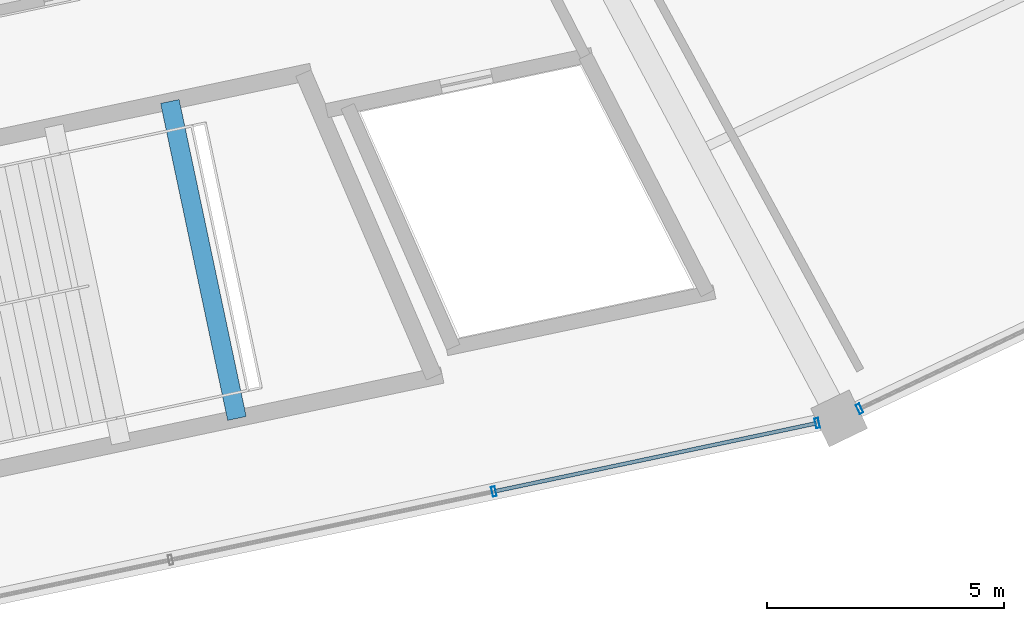
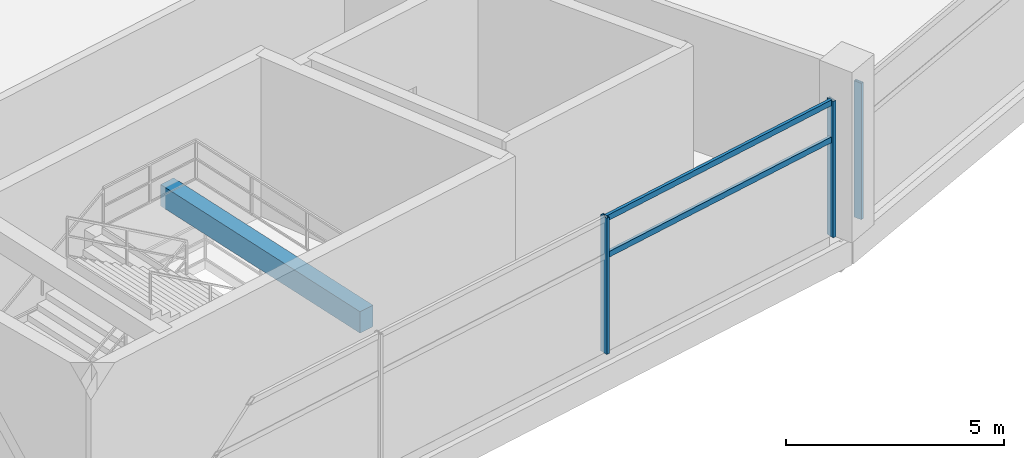
# One storey, part 51 of 171: 5 members, 1 beam, 2 elements without a shape of their own.
"""IFC4 building model written with IfcOpenShell, lengths in metres."""

from ifc_helpers import new_model, si_unit, direction, frame, origin, origin_2d, place, context, subcontext, project, spatial, rectangle, hollow_rectangle, extrude, material, layer, layer_set, material_profile, profile_set, type_object, element, aggregate, save


model = new_model("IFC4")

# Units and contexts
model_context = context("Model", 3, precision=1e-05, world=origin(), true_north=direction((0.0, 1.0)))
body_context = subcontext(model_context, "Body", "Model", "MODEL_VIEW")
ifc_project = project(units=[si_unit("LENGTHUNIT", "METRE"), si_unit("AREAUNIT", "SQUARE_METRE"), si_unit("VOLUMEUNIT", "CUBIC_METRE"), si_unit("PLANEANGLEUNIT", "RADIAN"), si_unit("MASSUNIT", "GRAM", prefix="KILO")], contexts=[model_context])

# Site, building, storey
site_placement = place(None, origin())
site = spatial("IfcSite", under=ifc_project, at=site_placement, CompositionType="ELEMENT")
building_placement = place(site_placement, origin())
building = spatial("IfcBuilding", under=site, at=building_placement, Name="Kazemori Nagisa Stadium", CompositionType="ELEMENT")
storey_placement = place(building_placement, frame((0.0, 0.0, 15.639892578125)))
storey = spatial("IfcBuildingStorey", under=building, at=storey_placement, Name="L03", CompositionType="ELEMENT", Elevation=15.639892578125)

# Beam
ifc_material_1 = material(Name="Concrete C40/50 (Fc42)", Category="concrete")
ifc_material_profile_1 = material_profile(ifc_material_1, rectangle(XDim=0.39990234375, YDim=0.60009765625, at=origin_2d()), Name="RC-BM-400x600")
ifc_profile_set_1 = profile_set([ifc_material_profile_1], Name="Concrete C40/50 (Fc42)")
beam_type = type_object("IfcBeamType", Name="Beam_BG-LND400X600", PredefinedType="BEAM", material=ifc_profile_set_1)
beam_placement = place(storey_placement, frame((151.69384765625, 28.218505859375, 1.880126953125), z_axis=(0.206997403527, -0.978341491982, 0.0), x_axis=(0.978341491982, 0.206997403527, 0.0)))
element("IfcBeam", 1, at=beam_placement, inside=storey, type_object=beam_type, Name="Core stair mid-landing girder ST06-L03-2", PredefinedType="BEAM", context=body_context, shape_type="SweptSolid", body=[
    extrude(rectangle(XDim=0.39990234375, YDim=0.60009765625, at=origin_2d()), origin(), (0.0, 0.0, 1.0), 6.831298828125),
])

# Curtain wall, members
ifc_material_2 = material(Name="Anodised aluminium 6063-T5", Category="aluminium")
ifc_layer = layer(ifc_material_2, 0.2099609375, Name="Anodised aluminium 6063-T5", Category="aluminium")
ifc_layer_set = layer_set([ifc_layer], Name="Anodised aluminium 6063-T5")
curtain_wall_type = type_object("IfcCurtainWallType", Name="CW_L03R3_105", PredefinedType="USERDEFINED", material=ifc_layer_set)
curtain_wall_1_placement = place(storey_placement, origin())
curtain_wall_1 = element("IfcCurtainWall", 2, at=curtain_wall_1_placement, inside=storey, type_object=curtain_wall_type, Name="Unitised curtain wall CW-L03R3-105 L03", ObjectType="UNITISED CURTAIN WALL", PredefinedType="USERDEFINED")
ifc_material_3 = material(Name="Aluminium 6063-T5 anodised", Category="aluminium")
ifc_material_profile_2 = material_profile(ifc_material_3, hollow_rectangle(XDim=0.080078125, YDim=0.2099609375, WallThickness=0.0048828125, at=origin_2d()), Name="ALU-MULL-80x210x5")
ifc_profile_set_2 = profile_set([ifc_material_profile_2], Name="Aluminium 6063-T5 anodised")
member_type_1 = type_object("IfcMemberType", Name="Mullion_M02", PredefinedType="MULLION", material=ifc_profile_set_2)
member_1_placement = place(storey_placement, frame((158.524169921875, 19.995361328125, 0.0), z_axis=(0.0, 0.0, 1.0), x_axis=(0.978344955407, 0.206981033502, 0.0)))
member_1 = element("IfcMember", 3, at=member_1_placement, type_object=member_type_1, Name="Curtain wall mullion CW-L03R3-105-M3", PredefinedType="MULLION", context=body_context, shape_type="SweptSolid", body=[
    extrude(hollow_rectangle(XDim=0.080078125, YDim=0.2099609375, WallThickness=0.0048828125, at=origin_2d()), origin(), (0.0, 0.0, 1.0), 3.81005859375),
])
member_2_placement = place(storey_placement, frame((165.340087890625, 21.4375, 0.0), z_axis=(0.0, 0.0, 1.0), x_axis=(0.978344955407, 0.206981033502, 0.0)))
member_2 = element("IfcMember", 4, at=member_2_placement, type_object=member_type_1, Name="Curtain wall mullion CW-L03R3-105-M4", PredefinedType="MULLION", context=body_context, shape_type="SweptSolid", body=[
    extrude(hollow_rectangle(XDim=0.080078125, YDim=0.2099609375, WallThickness=0.0048828125, at=origin_2d()), origin(), (0.0, 0.0, 1.0), 3.81005859375),
])

# Curtain wall, member
curtain_wall_2_placement = place(storey_placement, origin())
curtain_wall_2 = element("IfcCurtainWall", 5, at=curtain_wall_2_placement, inside=storey, type_object=curtain_wall_type, Name="Unitised curtain wall CW-L03R3-105 L03", ObjectType="UNITISED CURTAIN WALL", PredefinedType="USERDEFINED")
member_3_placement = place(storey_placement, frame((166.233642578125, 21.739501953125, 0.0), z_axis=(0.0, 0.0, 1.0), x_axis=(0.903215892654, 0.429186499388, 0.0)))
member_3 = element("IfcMember", 6, at=member_3_placement, type_object=member_type_1, Name="Curtain wall mullion CW-L03R3-105-M1", PredefinedType="MULLION", context=body_context, shape_type="SweptSolid", body=[
    extrude(hollow_rectangle(XDim=0.080078125, YDim=0.2099609375, WallThickness=0.0048828125, at=origin_2d()), origin(), (0.0, 0.0, 1.0), 3.81005859375),
])
aggregate(curtain_wall_2, [member_3])

# Member
ifc_material_profile_3 = material_profile(ifc_material_3, hollow_rectangle(XDim=0.080078125, YDim=0.159912109375, WallThickness=0.00390625, at=origin_2d()), Name="ALU-TRAN-80x160x4")
ifc_profile_set_3 = profile_set([ifc_material_profile_3], Name="Aluminium 6063-T5 anodised")
member_type_2 = type_object("IfcMemberType", Name="Transom_T02", PredefinedType="USERDEFINED", material=ifc_profile_set_3)
member_4_placement = place(storey_placement, frame((158.543701171875, 19.99951171875, 2.705322265625), z_axis=(0.97834174255, 0.206996219252, 0.0), x_axis=(-0.206996219252, 0.97834174255, 0.0)))
member_4 = element("IfcMember", 7, at=member_4_placement, type_object=member_type_2, Name="Curtain wall transom CW-L03R3-105-T3-mid", ObjectType="TRANSOM", PredefinedType="USERDEFINED", context=body_context, shape_type="SweptSolid", body=[
    extrude(hollow_rectangle(XDim=0.080078125, YDim=0.159912109375, WallThickness=0.00390625, at=origin_2d()), origin(), (0.0, 0.0, 1.0), 6.9267578125),
])

member_5_placement = place(storey_placement, frame((158.543701171875, 19.99951171875, 3.739990234375), z_axis=(0.97834174255, 0.206996219252, 0.0), x_axis=(-0.206996219252, 0.97834174255, 0.0)))
member_5 = element("IfcMember", 8, at=member_5_placement, type_object=member_type_2, Name="Curtain wall transom CW-L03R3-105-T3-head", ObjectType="TRANSOM", PredefinedType="USERDEFINED", context=body_context, shape_type="SweptSolid", body=[
    extrude(hollow_rectangle(XDim=0.080078125, YDim=0.159912109375, WallThickness=0.00390625, at=origin_2d()), origin(), (0.0, 0.0, 1.0), 6.9267578125),
])

aggregate(curtain_wall_1, [member_1, member_2, member_4, member_5])

save(model, "model.ifc")
